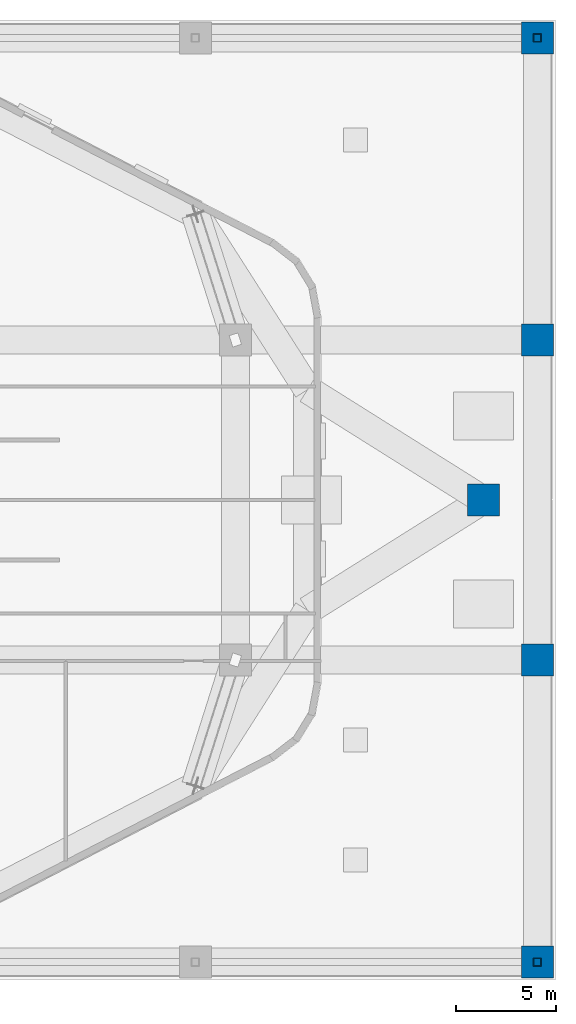
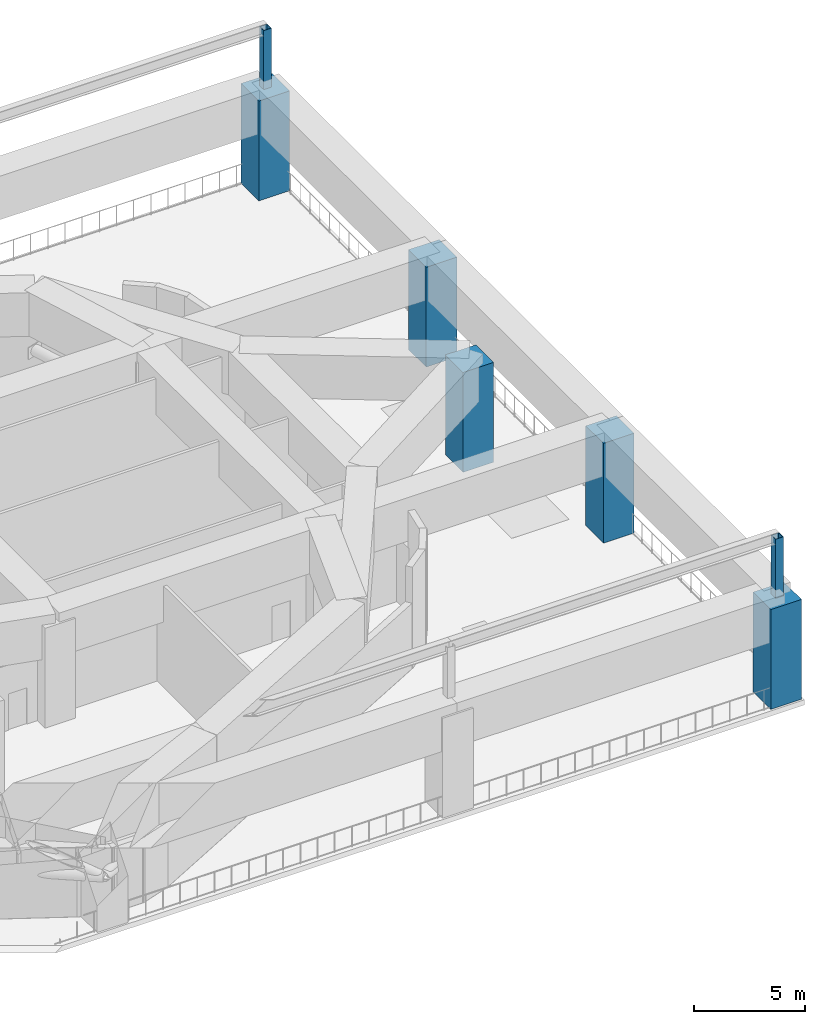
# One storey, part 4 of 15: 7 columns.
"""IFC4 building model written with IfcOpenShell, lengths in metres."""

import ifcopenshell
import ifcopenshell.guid

model = None  # the IFC model being written
_history = None  # IfcOwnerHistory: only IFC2X3 demands one
_inside = {}  # id of a spatial element -> (the spatial element, [elements in it])
_under = {}  # id of a project, library or spatial element -> (it, [spatial elements below it])
_declared = {}  # id of a project -> (the project, [libraries it declares])
_typed = {}  # id of a type object -> (the type object, [elements of that type])
_made_of = {}  # id of a material, layer set ... -> (it, [elements and type objects made of it])


def new_model(schema):
    """Start an empty IFC model of exactly this schema.

    Asked for "IFC4X3", IfcOpenShell would pick the latest addendum, in which some entities
    have other attributes; the version numbers below select the first issue.
    IFC2X3 requires an IfcOwnerHistory on every rooted entity: one is made here for all.
    """
    global model, _history
    if schema == "IFC4X3":
        model = ifcopenshell.file(schema_version=(4, 3, 0, 0))
    else:
        model = ifcopenshell.file(schema=schema)
    _inside.clear()
    _under.clear()
    _declared.clear()
    _typed.clear()
    _made_of.clear()
    _history = None
    if model.schema == "IFC2X3":
        org = make("IfcOrganization", Name="unknown")
        user = make(
            "IfcPersonAndOrganization",
            ThePerson=make("IfcPerson", FamilyName="unknown"),
            TheOrganization=org,
        )
        app = make(
            "IfcApplication",
            ApplicationDeveloper=org,
            Version="unknown",
            ApplicationFullName="unknown",
            ApplicationIdentifier="unknown",
        )
        _history = make(
            "IfcOwnerHistory",
            OwningUser=user,
            OwningApplication=app,
            ChangeAction="ADDED",
            CreationDate=0,
        )
    return model


def make(cls, **values):
    """One entity of the class cls with the attributes given. An attribute that is None is left unset."""
    return model.create_entity(
        cls, **{name: value for name, value in values.items() if value is not None}
    )


def rooted(cls, **values):
    """An entity with a GlobalId (a new one), such as an element, a storey or a relation."""
    return make(cls, GlobalId=ifcopenshell.guid.new(), OwnerHistory=_history, **values)


def si_unit(unit_type, name, prefix=None):
    """IfcSIUnit, for example si_unit("LENGTHUNIT", "METRE", prefix="MILLI")."""
    return make("IfcSIUnit", UnitType=unit_type, Prefix=prefix, Name=name)


def assignment(units):
    """IfcUnitAssignment: the units of a project."""
    return None if units is None else make("IfcUnitAssignment", Units=units)


def point(xyz):
    """IfcCartesianPoint."""
    return None if xyz is None else make("IfcCartesianPoint", Coordinates=xyz)


def direction(xyz):
    """IfcDirection."""
    return None if xyz is None else make("IfcDirection", DirectionRatios=xyz)


def frame(location, z_axis=None, x_axis=None):
    """IfcAxis2Placement3D, a coordinate frame: its origin and axes. An axis left out is left unset."""
    return make(
        "IfcAxis2Placement3D",
        Location=point(location),
        Axis=direction(z_axis),
        RefDirection=direction(x_axis),
    )


def frame_2d(location, x_axis=None):
    """IfcAxis2Placement2D, a coordinate frame in the plane: its origin and x axis."""
    return make(
        "IfcAxis2Placement2D", Location=point(location), RefDirection=direction(x_axis)
    )


def origin():
    """The frame at (0, 0, 0) with its axes left unset."""
    return frame((0.0, 0.0, 0.0))


def origin_2d():
    """The frame at (0, 0) in the plane with its x axis left unset."""
    return frame_2d((0.0, 0.0))


def place(relative_to, where):
    """IfcLocalPlacement: puts the frame where relative to a parent placement (None: the world)."""
    return make(
        "IfcLocalPlacement", PlacementRelTo=relative_to, RelativePlacement=where
    )


def context(
    kind, dimensions, precision=None, world=None, true_north=None, identifier=None
):
    """IfcGeometricRepresentationContext, for example the 3D "Model" context."""
    return make(
        "IfcGeometricRepresentationContext",
        ContextIdentifier=identifier,
        ContextType=kind,
        CoordinateSpaceDimension=dimensions,
        Precision=precision,
        WorldCoordinateSystem=world,
        TrueNorth=true_north,
    )


def subcontext(parent, identifier, kind, view, scale=None):
    """IfcGeometricRepresentationSubContext, for example "Body" below "Model"."""
    return make(
        "IfcGeometricRepresentationSubContext",
        ContextIdentifier=identifier,
        ContextType=kind,
        ParentContext=parent,
        TargetScale=scale,
        TargetView=view,
    )


def project(units=None, contexts=None):
    """IfcProject with its units and contexts."""
    return rooted(
        "IfcProject",
        Name="project",
        RepresentationContexts=contexts,
        UnitsInContext=assignment(units),
    )


def spatial(cls, under=None, at=None, **own):
    """A site, building, storey or space (cls), placed at a placement, below another one or the project."""
    s = rooted(cls, ObjectPlacement=at, **own)
    if under is not None:
        _under.setdefault(under.id(), (under, []))[1].append(s)
    return s


def profile(cls, at=None, kind="AREA", **sizes):
    """A parametric profile (cls). Its sizes go by their IFC names, for example OverallWidth=200.0."""
    return make(cls, ProfileType=kind, Position=at, **sizes)


def rectangle(**sizes):
    """IfcRectangleProfileDef."""
    return profile("IfcRectangleProfileDef", **sizes)


def hollow_rectangle(**sizes):
    """IfcRectangleHollowProfileDef."""
    return profile("IfcRectangleHollowProfileDef", **sizes)


def extrude(swept, where, along, depth):
    """IfcExtrudedAreaSolid: the profile swept, set in the frame where, extruded along a direction by depth."""
    return make(
        "IfcExtrudedAreaSolid",
        SweptArea=swept,
        Position=where,
        ExtrudedDirection=direction(along),
        Depth=depth,
    )


def shape(context_of_items, identifier, shape_type, items):
    """IfcShapeRepresentation: the items that make up one representation, for example the "Body"."""
    return make(
        "IfcShapeRepresentation",
        ContextOfItems=context_of_items,
        RepresentationIdentifier=identifier,
        RepresentationType=shape_type,
        Items=items,
    )


def material(Name=None, Category=None):
    """IfcMaterial."""
    return make("IfcMaterial", Name=Name, Category=Category)


def material_profile(
    of_material, cross_section, Name=None, Category=None, Priority=None
):
    """IfcMaterialProfile: a cross section and its material."""
    return make(
        "IfcMaterialProfile",
        Name=Name,
        Material=of_material,
        Profile=cross_section,
        Priority=Priority,
        Category=Category,
    )


def profile_set(profiles, Name=None, composite=None):
    """IfcMaterialProfileSet."""
    return make(
        "IfcMaterialProfileSet",
        Name=Name,
        MaterialProfiles=profiles,
        CompositeProfile=composite,
    )


def made_of(thing, what):
    """Note that an element or type object is made of a material, layer set ...; save() writes the relation."""
    if what is not None:
        _made_of.setdefault(what.id(), (what, []))[1].append(thing)
    return thing


def type_object(cls, material=None, **own):
    """A type object (cls), such as IfcWallType, which elements share."""
    return made_of(rooted(cls, **own), material)


def element(
    cls,
    number,
    at=None,
    inside=None,
    cuts=None,
    type_object=None,
    material=None,
    context=None,
    identifier="Body",
    shape_type=None,
    held_by="IfcProductDefinitionShape",
    body=None,
    shapes=None,
    **own,
):
    """One element of the class cls, such as IfcWall. Its Tag is "e" and its number.

    at: its placement. inside: the storey or other place that contains it. cuts: it is an
    opening in that element (IfcRelVoidsElement). A single representation is given by context,
    identifier, shape_type and body (its items); several are given by shapes. held_by: the class
    of the entity that holds the representations. save() writes the other relations.
    """
    e = rooted(cls, Tag="e%d" % number, ObjectPlacement=at, **own)
    if body is not None:
        shapes = [shape(context, identifier, shape_type, body)]
    if shapes is not None:
        e.Representation = make(held_by, Representations=shapes)
    if inside is not None:
        _inside.setdefault(inside.id(), (inside, []))[1].append(e)
    if cuts is not None:
        rooted(
            "IfcRelVoidsElement", RelatingBuildingElement=cuts, RelatedOpeningElement=e
        )
    if type_object is not None:
        _typed.setdefault(type_object.id(), (type_object, []))[1].append(e)
    return made_of(e, material)


def aggregate(whole, parts):
    """IfcRelAggregates: a whole, such as a stair, and the parts it consists of."""
    return rooted("IfcRelAggregates", RelatingObject=whole, RelatedObjects=parts)


def save(model, path):
    """Write the relations noted so far, then the file.

    IfcRelAggregates (storeys below a building ...), IfcRelContainedInSpatialStructure (elements
    in a storey), IfcRelDefinesByType, IfcRelAssociatesMaterial and IfcRelDeclares: one each for
    every whole, place, type object, material and project.
    """
    for whole, parts in _under.values():
        aggregate(whole, parts)
    for where, things in _inside.values():
        rooted(
            "IfcRelContainedInSpatialStructure",
            RelatedElements=things,
            RelatingStructure=where,
        )
    for kind, things in _typed.values():
        rooted("IfcRelDefinesByType", RelatedObjects=things, RelatingType=kind)
    for what, things in _made_of.values():
        rooted("IfcRelAssociatesMaterial", RelatedObjects=things, RelatingMaterial=what)
    for by, libraries in _declared.values():
        rooted("IfcRelDeclares", RelatingContext=by, RelatedDefinitions=libraries)
    model.write(path)


model = new_model("IFC4")

# Units and contexts
model_context = context("Model", 3, precision=1e-05, world=origin(), true_north=direction((0.0, 1.0)))
body_context = subcontext(model_context, "Body", "Model", "MODEL_VIEW")
ifc_project = project(units=[si_unit("LENGTHUNIT", "METRE"), si_unit("AREAUNIT", "SQUARE_METRE"), si_unit("VOLUMEUNIT", "CUBIC_METRE"), si_unit("PLANEANGLEUNIT", "RADIAN"), si_unit("MASSUNIT", "GRAM", prefix="KILO"), si_unit("THERMODYNAMICTEMPERATUREUNIT", "KELVIN"), si_unit("POWERUNIT", "WATT")], contexts=[model_context])

# Site, building, storey
site_placement = place(None, origin())
site = spatial("IfcSite", under=ifc_project, at=site_placement, CompositionType="ELEMENT")
building_placement = place(site_placement, origin())
building = spatial("IfcBuilding", under=site, at=building_placement, Name="Skarre Station Tower", CompositionType="ELEMENT")
storey_placement = place(building_placement, frame((0.0, 0.0, 21.0)))
storey = spatial("IfcBuildingStorey", under=building, at=storey_placement, Name="L05", CompositionType="ELEMENT", Elevation=21.0)

# Columns
ifc_material_1 = material(Name="Concrete C70/85", Category="concrete")
ifc_material_profile_1 = material_profile(ifc_material_1, rectangle(XDim=1.60009765625, YDim=1.60009765625, at=origin_2d()), Name="Concrete C70/85")
ifc_profile_set_1 = profile_set([ifc_material_profile_1], Name="Concrete C70/85")
column_type_1 = type_object("IfcColumnType", Name="RC Structural Column RC-COL-1600X1600", PredefinedType="COLUMN", material=ifc_profile_set_1)
for number, where, z_axis, x_axis, name in (
    (1, (71.10009765625, 0.89990234375, 0.0), (0.0, 0.0, 1.0), (1.0, 0.0, 0.0), "L05 Station Concourse Mega-Column PM02"),
    (2, (71.10009765625, 47.10009765625, 0.0), (0.0, 0.0, 1.0), (1.0, 0.0, 0.0), "L05 Station Concourse Mega-Column PM04"),
    (3, (71.10009765625, 16.0, 0.0), (0.0, 0.0, 1.0), (1.0, 0.0, 0.0), "L05 Station Concourse Mega-Column PM13"),
    (4, (71.10009765625, 32.0, 0.0), (0.0, 0.0, 1.0), (1.0, 0.0, 0.0), "L05 Station Concourse Mega-Column PM14"),
    (5, (68.39990234375, 24.0, 0.0), (0.0, 0.0, 1.0), (1.0, 0.0, 0.0), "L05 Station Concourse Mega-Column PM20"),
):
    element("IfcColumn", number, at=place(storey_placement, frame(where, z_axis=z_axis, x_axis=x_axis)), inside=storey, type_object=column_type_1, Name=name, PredefinedType="COLUMN", context=body_context, shape_type="SweptSolid", body=[
        extrude(rectangle(XDim=1.60009765625, YDim=1.60009765625, at=origin_2d()), origin(), (0.0, 0.0, 1.0), 5.5),
    ])
ifc_material_2 = material(Name="Steel ASTM A500 Grade C", Category="steel")
ifc_material_profile_2 = material_profile(ifc_material_2, hollow_rectangle(XDim=0.39990234375, YDim=0.39990234375, WallThickness=0.02197265625, at=origin_2d()), Name="Steel ASTM A500 Grade C")
ifc_profile_set_2 = profile_set([ifc_material_profile_2], Name="Steel ASTM A500 Grade C")
column_type_2 = type_object("IfcColumnType", Name="Steel Strut HSS400X400X22", PredefinedType="USERDEFINED", material=ifc_profile_set_2)
for number, where, z_axis, x_axis, name in (
    (6, (71.10009765625, 0.89990234375, 5.550048828125), (0.0, 0.0, 1.0), (1.0, 0.0, 0.0), "L05 Podium Terrace Pergola Strut Post 2"),
    (7, (71.10009765625, 47.10009765625, 5.550048828125), (0.0, 0.0, 1.0), (1.0, 0.0, 0.0), "L05 Podium Terrace Pergola Strut Post 4"),
):
    element("IfcColumn", number, at=place(storey_placement, frame(where, z_axis=z_axis, x_axis=x_axis)), inside=storey, type_object=column_type_2, Name=name, ObjectType="STRUT", PredefinedType="USERDEFINED", context=body_context, shape_type="SweptSolid", body=[
        extrude(hollow_rectangle(XDim=0.39990234375, YDim=0.39990234375, WallThickness=0.02197265625, at=origin_2d()), origin(), (0.0, 0.0, 1.0), 3.25),
    ])

save(model, "model.ifc")
